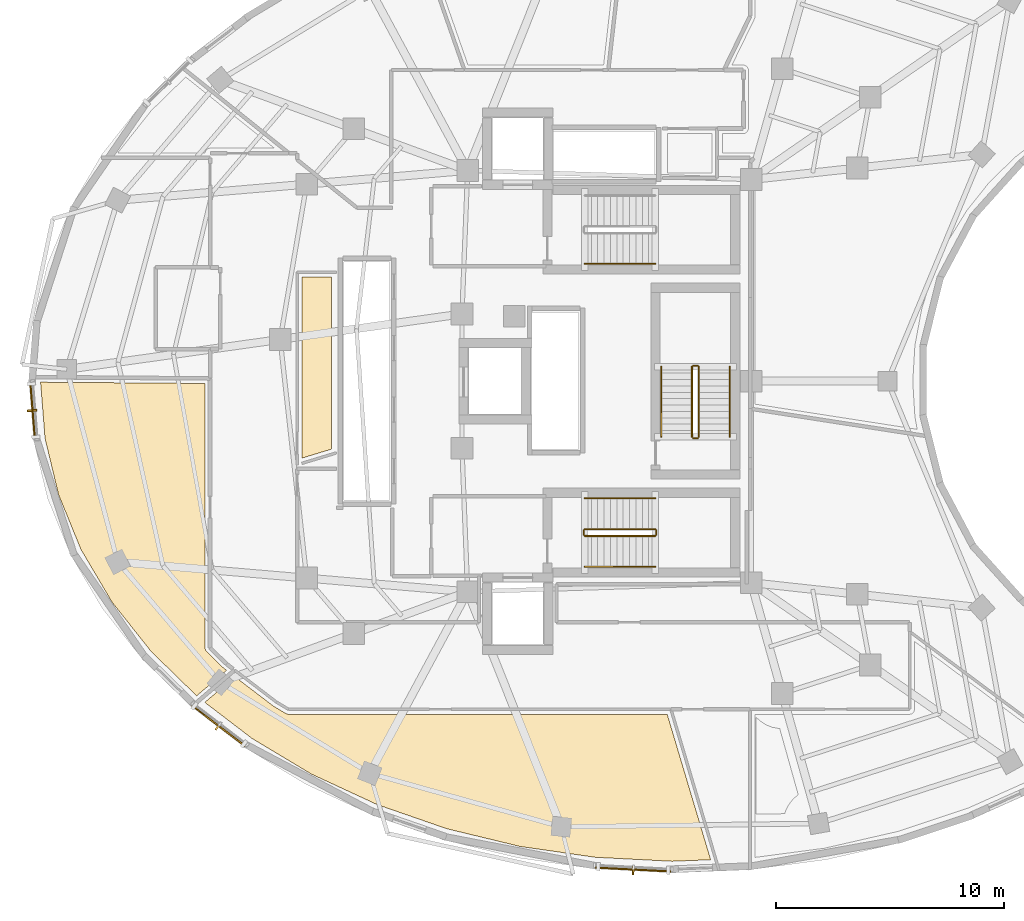
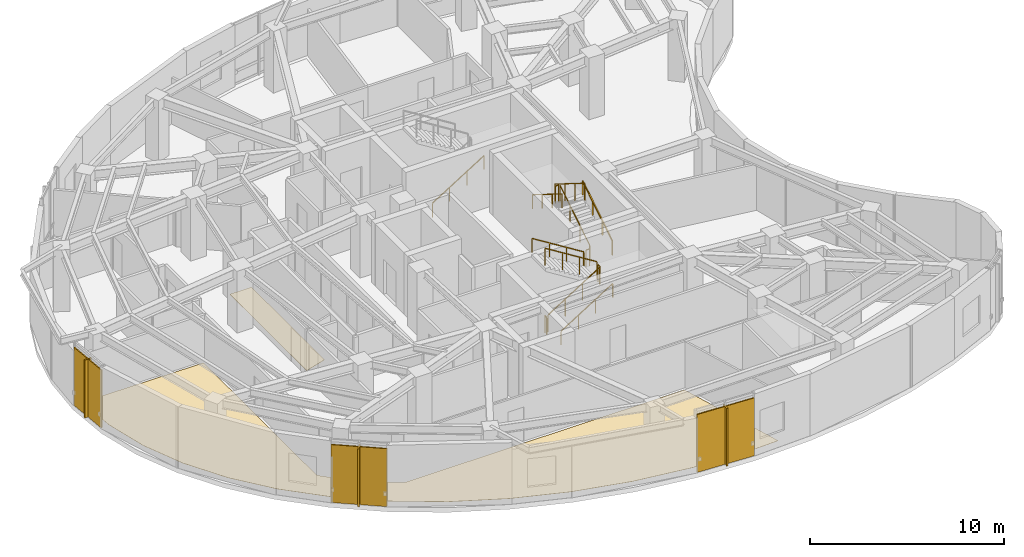
# One storey, part 11 of 13: 13 railings, 6 shading devices, 3 coverings.
"""IFC4 building model written with IfcOpenShell, lengths in metres."""

from ifc_helpers import new_model, si_unit, direction, frame, origin, origin_2d, place, context, subcontext, project, spatial, polyline, rectangle, outline, extrude, material, layer, layer_set, type_object, element, save


model = new_model("IFC4")

# Units and contexts
model_context = context("Model", 3, precision=1e-05, world=origin(), true_north=direction((0.0, 1.0)))
body_context = subcontext(model_context, "Body", "Model", "MODEL_VIEW")
ifc_project = project(units=[si_unit("LENGTHUNIT", "METRE"), si_unit("AREAUNIT", "SQUARE_METRE"), si_unit("VOLUMEUNIT", "CUBIC_METRE"), si_unit("PLANEANGLEUNIT", "RADIAN"), si_unit("MASSUNIT", "GRAM", prefix="KILO")], contexts=[model_context])

# Site, building, storey
site_placement = place(None, origin())
site = spatial("IfcSite", under=ifc_project, at=site_placement, CompositionType="ELEMENT")
building_placement = place(site_placement, origin())
building = spatial("IfcBuilding", under=site, at=building_placement, Name="Korentha Bioscience Tower", CompositionType="ELEMENT")
storey_placement = place(building_placement, frame((0.0, 0.0, 243.60009765625)))
storey = spatial("IfcBuildingStorey", under=building, at=storey_placement, Name="L56", CompositionType="ELEMENT", Elevation=243.60009765625)

# Railings
ifc_material_1 = material(Name="Stainless Steel 304", Category="steel")
railing_type_1 = type_object("IfcRailingType", Name="Brushed Stainless Stair Handrail 900", PredefinedType="HANDRAIL", material=ifc_material_1)
for number, where, name in (
    (1, (30.25, 32.14990234375, 0.1748046875), "L56 ST-1 stair handrail 1"),
    (2, (30.25, 18.85009765625, 0.1748046875), "L56 ST-2 stair handrail 1"),
):
    element("IfcRailing", number, at=place(storey_placement, frame(where)), inside=storey, type_object=railing_type_1, Name=name, PredefinedType="HANDRAIL", context=body_context, shape_type="SweptSolid", body=[
        extrude(rectangle(XDim=0.048095703125, YDim=0.048095703125, at=origin_2d()), frame((0.0, 0.0, 0.8759765625), z_axis=(0.847998304005, 0.0, 0.529998940003), x_axis=(0.0, 1.0, 0.0)), (0.0, 0.0, 1.0), 3.632080078125),
        extrude(rectangle(XDim=0.0419921875, YDim=0.0419921875, at=origin_2d()), origin(), (0.0, 0.0, 1.0), 0.851806640625),
        extrude(rectangle(XDim=0.0419921875, YDim=0.0419921875, at=origin_2d()), frame((1.026611328125, 0.0, 0.6416015625)), (0.0, 0.0, 1.0), 0.851806640625),
        extrude(rectangle(XDim=0.0419921875, YDim=0.0419921875, at=origin_2d()), frame((2.053466796875, 0.0, 1.283447265625)), (0.0, 0.0, 1.0), 0.851806640625),
        extrude(rectangle(XDim=0.0419921875, YDim=0.0419921875, at=origin_2d()), frame((3.080078125, 0.0, 1.925048828125)), (0.0, 0.0, 1.0), 0.851806640625),
    ])
railing_1_placement = place(storey_placement, frame((33.330078125, 21.85009765625, 2.27490234375)))
element("IfcRailing", 3, at=railing_1_placement, inside=storey, type_object=railing_type_1, Name="L56 ST-2 stair handrail 2", PredefinedType="HANDRAIL", context=body_context, shape_type="SweptSolid", body=[
    extrude(rectangle(XDim=0.048095703125, YDim=0.048095703125, at=origin_2d()), frame((0.0, 0.0, 0.8759765625), z_axis=(-0.847998304005, 0.0, 0.529998940003), x_axis=(0.0, -1.0, 0.0)), (0.0, 0.0, 1.0), 3.632080078125),
    extrude(rectangle(XDim=0.0419921875, YDim=0.0419921875, at=origin_2d()), origin(), (0.0, 0.0, 1.0), 0.851806640625),
    extrude(rectangle(XDim=0.0419921875, YDim=0.0419921875, at=origin_2d()), frame((-1.026611328125, 0.0, 0.6416015625)), (0.0, 0.0, 1.0), 0.851806640625),
    extrude(rectangle(XDim=0.0419921875, YDim=0.0419921875, at=origin_2d()), frame((-2.053466796875, 0.0, 1.283447265625)), (0.0, 0.0, 1.0), 0.851806640625),
    extrude(rectangle(XDim=0.0419921875, YDim=0.0419921875, at=origin_2d()), frame((-3.080078125, 0.0, 1.925048828125)), (0.0, 0.0, 1.0), 0.851806640625),
])
railing_2_placement = place(storey_placement, frame((36.60009765625, 24.550048828125, 0.1748046875)))
element("IfcRailing", 4, at=railing_2_placement, inside=storey, type_object=railing_type_1, Name="L56 ST-3 stair handrail 1", PredefinedType="HANDRAIL", context=body_context, shape_type="SweptSolid", body=[
    extrude(rectangle(XDim=0.048095703125, YDim=0.048095703125, at=origin_2d()), frame((0.0, 0.0, 0.8759765625), z_axis=(0.0, 0.847979421464, 0.530029150871), x_axis=(-1.0, 0.0, 0.0)), (0.0, 0.0, 1.0), 3.632080078125),
    extrude(rectangle(XDim=0.0419921875, YDim=0.0419921875, at=origin_2d()), origin(), (0.0, 0.0, 1.0), 0.851806640625),
    extrude(rectangle(XDim=0.0419921875, YDim=0.0419921875, at=origin_2d()), frame((0.0, 1.026611328125, 0.6416015625)), (0.0, 0.0, 1.0), 0.851806640625),
    extrude(rectangle(XDim=0.0419921875, YDim=0.0419921875, at=origin_2d()), frame((0.0, 2.05322265625, 1.283447265625)), (0.0, 0.0, 1.0), 0.851806640625),
    extrude(rectangle(XDim=0.0419921875, YDim=0.0419921875, at=origin_2d()), frame((0.0, 3.079833984375, 1.925048828125)), (0.0, 0.0, 1.0), 0.851806640625),
])
railing_3_placement = place(storey_placement, frame((33.60009765625, 27.6298828125, 2.27490234375)))
element("IfcRailing", 5, at=railing_3_placement, inside=storey, type_object=railing_type_1, Name="L56 ST-3 stair handrail 2", PredefinedType="HANDRAIL", context=body_context, shape_type="SweptSolid", body=[
    extrude(rectangle(XDim=0.048095703125, YDim=0.048095703125, at=origin_2d()), frame((0.0, 0.0, 0.8759765625), z_axis=(0.0, -0.847979421464, 0.530029150871), x_axis=(1.0, 0.0, 0.0)), (0.0, 0.0, 1.0), 3.632080078125),
    extrude(rectangle(XDim=0.0419921875, YDim=0.0419921875, at=origin_2d()), origin(), (0.0, 0.0, 1.0), 0.851806640625),
    extrude(rectangle(XDim=0.0419921875, YDim=0.0419921875, at=origin_2d()), frame((0.0, -1.026611328125, 0.6416015625)), (0.0, 0.0, 1.0), 0.851806640625),
    extrude(rectangle(XDim=0.0419921875, YDim=0.0419921875, at=origin_2d()), frame((0.0, -2.05322265625, 1.283447265625)), (0.0, 0.0, 1.0), 0.851806640625),
    extrude(rectangle(XDim=0.0419921875, YDim=0.0419921875, at=origin_2d()), frame((0.0, -3.079833984375, 1.925048828125)), (0.0, 0.0, 1.0), 0.851806640625),
])
ifc_material_2 = material(Name="Painted Steel S275", Category="steel")
railing_type_2 = type_object("IfcRailingType", Name="Painted Steel Stair Well Guardrail 1100", PredefinedType="GUARDRAIL", material=ifc_material_2)
railing_4_placement = place(storey_placement, frame((30.25, 20.199951171875, 0.1748046875)))
element("IfcRailing", 6, at=railing_4_placement, inside=storey, type_object=railing_type_2, Name="L56 ST-2 stair guard 1", PredefinedType="GUARDRAIL", context=body_context, shape_type="SweptSolid", body=[
    extrude(rectangle(XDim=0.048095703125, YDim=0.048095703125, at=origin_2d()), frame((0.0, 0.0, 1.076171875), z_axis=(0.847998304005, 0.0, 0.529998940003), x_axis=(0.0, 1.0, 0.0)), (0.0, 0.0, 1.0), 3.632080078125),
    extrude(rectangle(XDim=0.0419921875, YDim=0.0419921875, at=origin_2d()), origin(), (0.0, 0.0, 1.0), 1.052001953125),
    extrude(rectangle(XDim=0.0419921875, YDim=0.0419921875, at=origin_2d()), frame((1.026611328125, 0.0, 0.6416015625)), (0.0, 0.0, 1.0), 1.052001953125),
    extrude(rectangle(XDim=0.0419921875, YDim=0.0419921875, at=origin_2d()), frame((2.053466796875, 0.0, 1.283447265625)), (0.0, 0.0, 1.0), 1.052001953125),
    extrude(rectangle(XDim=0.0419921875, YDim=0.0419921875, at=origin_2d()), frame((3.080078125, 0.0, 1.925048828125)), (0.0, 0.0, 1.0), 1.052001953125),
])
railing_5_placement = place(storey_placement, frame((33.3798828125, 20.25, 2.099853515625)))
element("IfcRailing", 7, at=railing_5_placement, inside=storey, type_object=railing_type_2, Name="L56 ST-2 stair guard 2", PredefinedType="GUARDRAIL", context=body_context, shape_type="SweptSolid", body=[
    extrude(rectangle(XDim=0.048095703125, YDim=0.048095703125, at=origin_2d()), frame((0.0, 0.0, 1.076171875), z_axis=(0.0, 1.0, 0.0), x_axis=(-1.0, 0.0, 0.0)), (0.0, 0.0, 1.0), 0.199951171875),
    extrude(rectangle(XDim=0.0419921875, YDim=0.0419921875, at=origin_2d()), origin(), (0.0, 0.0, 1.0), 1.052001953125),
    extrude(rectangle(XDim=0.0419921875, YDim=0.0419921875, at=origin_2d()), frame((0.0, 0.199951171875, 0.0)), (0.0, 0.0, 1.0), 1.052001953125),
])
railing_6_placement = place(storey_placement, frame((33.330078125, 20.5, 2.27490234375)))
element("IfcRailing", 8, at=railing_6_placement, inside=storey, type_object=railing_type_2, Name="L56 ST-2 stair guard 3", PredefinedType="GUARDRAIL", context=body_context, shape_type="SweptSolid", body=[
    extrude(rectangle(XDim=0.048095703125, YDim=0.048095703125, at=origin_2d()), frame((0.0, 0.0, 1.076171875), z_axis=(-0.847998304005, 0.0, 0.529998940003), x_axis=(0.0, -1.0, 0.0)), (0.0, 0.0, 1.0), 3.632080078125),
    extrude(rectangle(XDim=0.0419921875, YDim=0.0419921875, at=origin_2d()), origin(), (0.0, 0.0, 1.0), 1.052001953125),
    extrude(rectangle(XDim=0.0419921875, YDim=0.0419921875, at=origin_2d()), frame((-1.026611328125, 0.0, 0.6416015625)), (0.0, 0.0, 1.0), 1.052001953125),
    extrude(rectangle(XDim=0.0419921875, YDim=0.0419921875, at=origin_2d()), frame((-2.053466796875, 0.0, 1.283447265625)), (0.0, 0.0, 1.0), 1.052001953125),
    extrude(rectangle(XDim=0.0419921875, YDim=0.0419921875, at=origin_2d()), frame((-3.080078125, 0.0, 1.925048828125)), (0.0, 0.0, 1.0), 1.052001953125),
])
railing_7_placement = place(storey_placement, frame((30.199951171875, 20.25, 0.0)))
element("IfcRailing", 9, at=railing_7_placement, inside=storey, type_object=railing_type_2, Name="L56 ST-2 stair guard 4", PredefinedType="GUARDRAIL", context=body_context, shape_type="SweptSolid", body=[
    extrude(rectangle(XDim=0.048095703125, YDim=0.048095703125, at=origin_2d()), frame((0.0, 0.0, 1.076171875), z_axis=(0.0, 1.0, 0.0), x_axis=(-1.0, 0.0, 0.0)), (0.0, 0.0, 1.0), 0.199951171875),
    extrude(rectangle(XDim=0.0419921875, YDim=0.0419921875, at=origin_2d()), origin(), (0.0, 0.0, 1.0), 1.052001953125),
    extrude(rectangle(XDim=0.0419921875, YDim=0.0419921875, at=origin_2d()), frame((0.0, 0.199951171875, 0.0)), (0.0, 0.0, 1.0), 1.052001953125),
])
railing_8_placement = place(storey_placement, frame((35.25, 24.550048828125, 0.1748046875)))
element("IfcRailing", 10, at=railing_8_placement, inside=storey, type_object=railing_type_2, Name="L56 ST-3 stair guard 1", PredefinedType="GUARDRAIL", context=body_context, shape_type="SweptSolid", body=[
    extrude(rectangle(XDim=0.048095703125, YDim=0.048095703125, at=origin_2d()), frame((0.0, 0.0, 1.076171875), z_axis=(0.0, 0.847979421464, 0.530029150871), x_axis=(-1.0, 0.0, 0.0)), (0.0, 0.0, 1.0), 3.632080078125),
    extrude(rectangle(XDim=0.0419921875, YDim=0.0419921875, at=origin_2d()), origin(), (0.0, 0.0, 1.0), 1.052001953125),
    extrude(rectangle(XDim=0.0419921875, YDim=0.0419921875, at=origin_2d()), frame((0.0, 1.026611328125, 0.6416015625)), (0.0, 0.0, 1.0), 1.052001953125),
    extrude(rectangle(XDim=0.0419921875, YDim=0.0419921875, at=origin_2d()), frame((0.0, 2.05322265625, 1.283447265625)), (0.0, 0.0, 1.0), 1.052001953125),
    extrude(rectangle(XDim=0.0419921875, YDim=0.0419921875, at=origin_2d()), frame((0.0, 3.079833984375, 1.925048828125)), (0.0, 0.0, 1.0), 1.052001953125),
])
railing_9_placement = place(storey_placement, frame((35.199951171875, 27.679931640625, 2.099853515625)))
element("IfcRailing", 11, at=railing_9_placement, inside=storey, type_object=railing_type_2, Name="L56 ST-3 stair guard 2", PredefinedType="GUARDRAIL", context=body_context, shape_type="SweptSolid", body=[
    extrude(rectangle(XDim=0.048095703125, YDim=0.048095703125, at=origin_2d()), frame((0.0, 0.0, 1.076171875), z_axis=(-1.0, 0.0, 0.0), x_axis=(0.0, -1.0, 0.0)), (0.0, 0.0, 1.0), 0.199951171875),
    extrude(rectangle(XDim=0.0419921875, YDim=0.0419921875, at=origin_2d()), origin(), (0.0, 0.0, 1.0), 1.052001953125),
    extrude(rectangle(XDim=0.0419921875, YDim=0.0419921875, at=origin_2d()), frame((-0.199951171875, 0.0, 0.0)), (0.0, 0.0, 1.0), 1.052001953125),
])
railing_10_placement = place(storey_placement, frame((34.949951171875, 27.6298828125, 2.27490234375)))
element("IfcRailing", 12, at=railing_10_placement, inside=storey, type_object=railing_type_2, Name="L56 ST-3 stair guard 3", PredefinedType="GUARDRAIL", context=body_context, shape_type="SweptSolid", body=[
    extrude(rectangle(XDim=0.048095703125, YDim=0.048095703125, at=origin_2d()), frame((0.0, 0.0, 1.076171875), z_axis=(0.0, -0.847979421464, 0.530029150871), x_axis=(1.0, 0.0, 0.0)), (0.0, 0.0, 1.0), 3.632080078125),
    extrude(rectangle(XDim=0.0419921875, YDim=0.0419921875, at=origin_2d()), origin(), (0.0, 0.0, 1.0), 1.052001953125),
    extrude(rectangle(XDim=0.0419921875, YDim=0.0419921875, at=origin_2d()), frame((0.0, -1.026611328125, 0.6416015625)), (0.0, 0.0, 1.0), 1.052001953125),
    extrude(rectangle(XDim=0.0419921875, YDim=0.0419921875, at=origin_2d()), frame((0.0, -2.05322265625, 1.283447265625)), (0.0, 0.0, 1.0), 1.052001953125),
    extrude(rectangle(XDim=0.0419921875, YDim=0.0419921875, at=origin_2d()), frame((0.0, -3.079833984375, 1.925048828125)), (0.0, 0.0, 1.0), 1.052001953125),
])
railing_11_placement = place(storey_placement, frame((35.199951171875, 24.5, 0.0)))
element("IfcRailing", 13, at=railing_11_placement, inside=storey, type_object=railing_type_2, Name="L56 ST-3 stair guard 4", PredefinedType="GUARDRAIL", context=body_context, shape_type="SweptSolid", body=[
    extrude(rectangle(XDim=0.048095703125, YDim=0.048095703125, at=origin_2d()), frame((0.0, 0.0, 1.076171875), z_axis=(-1.0, 0.0, 0.0), x_axis=(0.0, -1.0, 0.0)), (0.0, 0.0, 1.0), 0.199951171875),
    extrude(rectangle(XDim=0.0419921875, YDim=0.0419921875, at=origin_2d()), origin(), (0.0, 0.0, 1.0), 1.052001953125),
    extrude(rectangle(XDim=0.0419921875, YDim=0.0419921875, at=origin_2d()), frame((-0.199951171875, 0.0, 0.0)), (0.0, 0.0, 1.0), 1.052001953125),
])

# Shading devices
ifc_material_3 = material(Name="Perforated Stone-Ceramic Composite", Category="masonry")
ifc_layer_1 = layer(ifc_material_3, 0.06494140625, Name="Perforated Stone-Ceramic Composite")
ifc_layer_set_1 = layer_set([ifc_layer_1], Name="Perforated Stone-Ceramic Composite (CS-01)")
shading_device_type_1 = type_object("IfcShadingDeviceType", Name="Perforated Stone-Ceramic Solar Screen Panel 65", PredefinedType="USERDEFINED", material=ifc_layer_set_1)
shading_device_1_placement = place(storey_placement, frame((5.99560546875, 25.709716796875, 0.0), z_axis=(0.0, 0.0, 1.0), x_axis=(0.079117478884, -0.996865299093, 0.0)))
element("IfcShadingDevice", 14, at=shading_device_1_placement, inside=storey, type_object=shading_device_type_1, Name="CW-L56-19 Perforated Stone-Ceramic Solar Screen", ObjectType="SCREEN", PredefinedType="USERDEFINED", context=body_context, shape_type="SweptSolid", body=[
    extrude(rectangle(XDim=2.498291015625, YDim=0.06494140625, at=origin_2d()), origin(), (0.0, 0.0, 1.0), 3.64990234375),
])
shading_device_2_placement = place(storey_placement, frame((14.1640625, 11.865234375, 0.0), z_axis=(0.0, 0.0, 1.0), x_axis=(0.794382455982, -0.607417906904, 0.0)))
element("IfcShadingDevice", 15, at=shading_device_2_placement, inside=storey, type_object=shading_device_type_1, Name="CW-L56-25 Perforated Stone-Ceramic Solar Screen", ObjectType="SCREEN", PredefinedType="USERDEFINED", context=body_context, shape_type="SweptSolid", body=[
    extrude(rectangle(XDim=2.932373046875, YDim=0.06494140625, at=origin_2d()), origin(), (0.0, 0.0, 1.0), 3.64990234375),
])
shading_device_3_placement = place(storey_placement, frame((32.3701171875, 5.554443359375, 0.0), z_axis=(0.0, 0.0, 1.0), x_axis=(0.998671032258, -0.051538037689, 0.0)))
element("IfcShadingDevice", 16, at=shading_device_3_placement, inside=storey, type_object=shading_device_type_1, Name="CW-L56-31 Perforated Stone-Ceramic Solar Screen", ObjectType="SCREEN", PredefinedType="USERDEFINED", context=body_context, shape_type="SweptSolid", body=[
    extrude(rectangle(XDim=3.31640625, YDim=0.06494140625, at=origin_2d()), origin(), (0.0, 0.0, 1.0), 3.64990234375),
])

# Coverings
ifc_material_4 = material(Name="Chemical-Resistant Epoxy Resin", Category="polymer")
ifc_layer_2 = layer(ifc_material_4, 0.011962890625, Name="Chemical-Resistant Epoxy Resin")
ifc_layer_set_2 = layer_set([ifc_layer_2], Name="Chemical-Resistant Epoxy Resin (FL-EPX)")
covering_type = type_object("IfcCoveringType", Name="Seamless Epoxy Laboratory Flooring 12", PredefinedType="FLOORING", material=ifc_layer_set_2)
covering_1_placement = place(storey_placement, origin())
element("IfcCovering", 17, at=covering_1_placement, inside=storey, type_object=covering_type, Name="L56 Biospecimen Archive Store 01 Floor Finish", PredefinedType="FLOORING", context=body_context, shape_type="SweptSolid", body=[
    extrude(outline(polyline([(13.570068359375, 26.898681640625), (13.5703125, 15.279541015625), (13.592529296875, 15.192138671875), (13.6318359375, 15.134521484375), (14.361083984375, 14.423095703125), (14.516357421875, 14.302490234375), (13.201416015625, 13.179443359375), (11.202392578125, 15.12841796875), (9.483154296875, 17.299560546875), (8.122802734375, 19.60595703125), (7.138671875, 22.01416015625), (6.543701171875, 24.489990234375), (6.348388671875, 26.95263671875), (13.570068359375, 26.898681640625)])), origin(), (0.0, 0.0, 1.0), 0.011962890625),
])
covering_2_placement = place(storey_placement, origin())
element("IfcCovering", 18, at=covering_2_placement, inside=storey, type_object=covering_type, Name="L56 Principal Investigator Office 03 Floor Finish", PredefinedType="FLOORING", context=body_context, shape_type="SweptSolid", body=[
    extrude(outline(polyline([(24.186767578125, 7.34521484375), (21.123779296875, 8.406982421875), (18.25390625, 9.73828125), (15.619140625, 11.319091796875), (13.559814453125, 12.893798828125), (14.88037109375, 14.021484375), (16.5751953125, 12.728515625), (17.1259765625, 12.39794921875), (17.224853515625, 12.370361328125), (33.86279296875, 12.3701171875), (35.769775390625, 5.984619140625), (34.076416015625, 5.9169921875), (30.7109375, 6.0908203125), (27.398193359375, 6.569091796875), (24.186767578125, 7.34521484375)])), origin(), (0.0, 0.0, 1.0), 0.011962890625),
])
covering_3_placement = place(storey_placement, origin())
element("IfcCovering", 19, at=covering_3_placement, inside=storey, type_object=covering_type, Name="L56 Senior Scientist Corner Office 13 Floor Finish", PredefinedType="FLOORING", context=body_context, shape_type="SweptSolid", body=[
    extrude(outline(polyline([(17.830078125, 23.621337890625), (17.830078125, 31.570068359375), (19.1201171875, 31.570068359375), (19.1201171875, 24.012939453125), (17.830078125, 23.621337890625)])), origin(), (0.0, 0.0, 1.0), 0.011962890625),
])

# Shading devices
ifc_material_5 = material(Name="Honed Travertine Limestone", Category="masonry")
ifc_layer_3 = layer(ifc_material_5, 0.080078125, Name="Honed Travertine Limestone")
ifc_layer_set_3 = layer_set([ifc_layer_3], Name="Honed Travertine Limestone (CS-02)")
shading_device_type_2 = type_object("IfcShadingDeviceType", Name="Vertical Honed Limestone Sunshade Fin 80x420", PredefinedType="USERDEFINED", material=ifc_layer_set_3)
for number, where, z_axis, x_axis, name in (
    (20, (5.9755859375, 25.708251953125, 0.0), (0.0, 0.0, 1.0), (0.079117478884, -0.996865299093, 0.0), "CW-L56-19 Limestone Sunshade Fin"),
    (21, (14.15185546875, 11.849365234375, 0.0), (0.0, 0.0, 1.0), (0.794382455982, -0.607417906904, 0.0), "CW-L56-25 Limestone Sunshade Fin"),
    (22, (32.369140625, 5.53466796875, 0.0), (0.0, 0.0, 1.0), (0.998671032258, -0.051538037689, 0.0), "CW-L56-31 Limestone Sunshade Fin"),
):
    element("IfcShadingDevice", number, at=place(storey_placement, frame(where, z_axis=z_axis, x_axis=x_axis)), inside=storey, type_object=shading_device_type_2, Name=name, ObjectType="SCREEN", PredefinedType="USERDEFINED", context=body_context, shape_type="SweptSolid", body=[
        extrude(rectangle(XDim=0.080078125, YDim=0.419921875, at=origin_2d()), origin(), (0.0, 0.0, 1.0), 3.64990234375),
    ])

save(model, "model.ifc")
